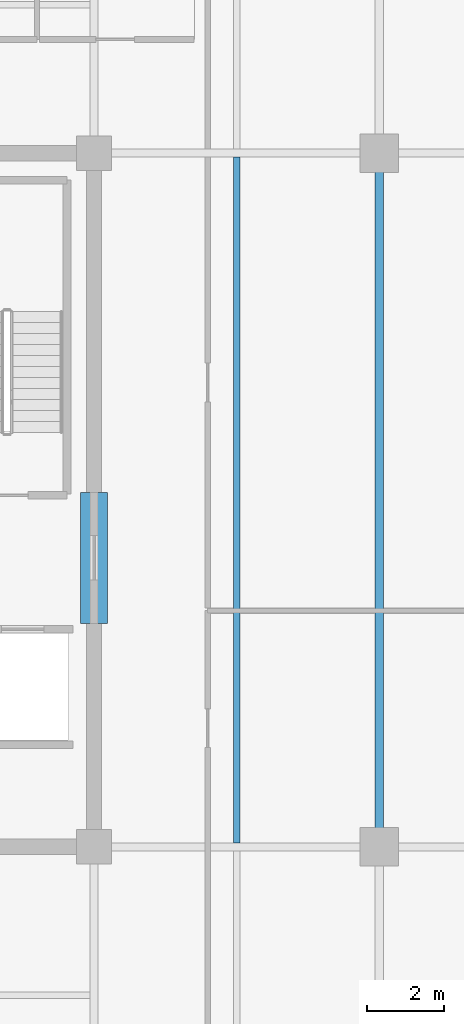
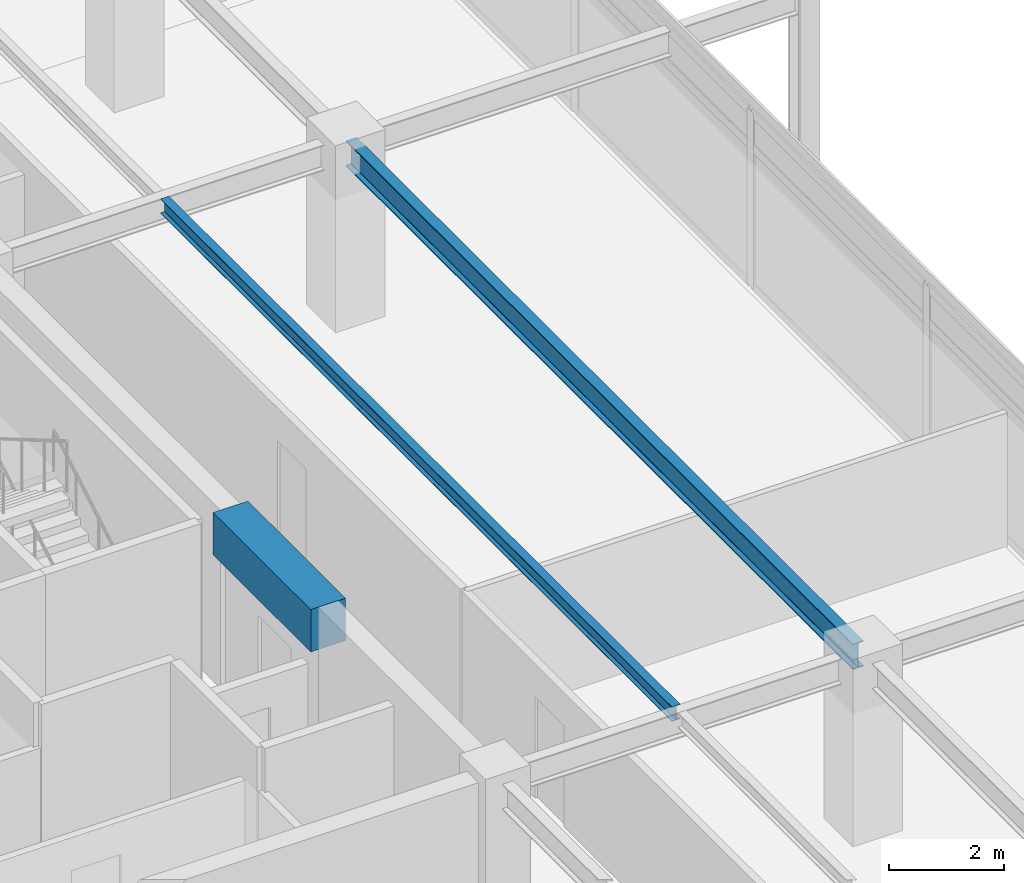
# One storey, part 7 of 20: 3 beams.
"""IFC4 building model written with IfcOpenShell, lengths in metres."""

from ifc_helpers import new_model, si_unit, direction, frame, origin, origin_2d, place, context, subcontext, project, spatial, rectangle, i_section, extrude, material, material_profile, profile_set, type_object, element, save


model = new_model("IFC4")

# Units and contexts
model_context = context("Model", 3, precision=1e-05, world=origin(), true_north=direction((0.0, 1.0)))
body_context = subcontext(model_context, "Body", "Model", "MODEL_VIEW")
ifc_project = project(units=[si_unit("LENGTHUNIT", "METRE"), si_unit("AREAUNIT", "SQUARE_METRE"), si_unit("VOLUMEUNIT", "CUBIC_METRE"), si_unit("PLANEANGLEUNIT", "RADIAN"), si_unit("MASSUNIT", "GRAM", prefix="KILO")], contexts=[model_context])

# Site, building, storey
site_placement = place(None, origin())
site = spatial("IfcSite", under=ifc_project, at=site_placement, CompositionType="ELEMENT")
building_placement = place(site_placement, origin())
building = spatial("IfcBuilding", under=site, at=building_placement, Name="Kovane Verandah Tower", CompositionType="ELEMENT")
storey_placement = place(building_placement, frame((0.0, 0.0, 322.800048828125)))
storey = spatial("IfcBuildingStorey", under=building, at=storey_placement, Name="L75", CompositionType="ELEMENT", Elevation=322.800048828125)

# Beams
ifc_material_1 = material(Name="Concrete C60/75", Category="concrete")
ifc_material_profile_1 = material_profile(ifc_material_1, rectangle(XDim=0.699951171875, YDim=0.89990234375, at=origin_2d()), Name="RCB700x900")
ifc_profile_set_1 = profile_set([ifc_material_profile_1], Name="Concrete C60/75")
beam_type_1 = type_object("IfcBeamType", Name="BM-LINTEL-700x900", PredefinedType="LINTEL", material=ifc_profile_set_1)
beam_1_placement = place(storey_placement, frame((51.0, 24.300048828125, 3.3349609375), z_axis=(0.0, 1.0, 0.0), x_axis=(-1.0, 0.0, 0.0)))
element("IfcBeam", 1, at=beam_1_placement, inside=storey, type_object=beam_type_1, Name="L75 Core Coupling Lintel CL-E", PredefinedType="LINTEL", context=body_context, shape_type="SweptSolid", body=[
    extrude(rectangle(XDim=0.699951171875, YDim=0.89990234375, at=origin_2d()), origin(), (0.0, 0.0, 1.0), 3.39990234375),
])
ifc_material_2 = material(Name="Steel S355", Category="steel")
ifc_material_profile_2 = material_profile(ifc_material_2, i_section(OverallWidth=0.2119140625, OverallDepth=0.54443359375, WebThickness=0.0126953125, FlangeThickness=0.021240234375, FilletRadius=0.0126953125, at=origin_2d()), Name="UB533x210x122")
ifc_profile_set_2 = profile_set([ifc_material_profile_2], Name="Steel S355")
beam_type_2 = type_object("IfcBeamType", Name="BM-UB533x122", PredefinedType="BEAM", material=ifc_profile_set_2)
beam_2_placement = place(storey_placement, frame((58.39990234375, 18.679931640625, 3.5126953125), z_axis=(0.0, 1.0, 0.0), x_axis=(-1.0, 0.0, 0.0)))
element("IfcBeam", 2, at=beam_2_placement, inside=storey, type_object=beam_type_2, Name="L75 Primary Tower Girder G-RE2", PredefinedType="BEAM", context=body_context, shape_type="SweptSolid", body=[
    extrude(i_section(OverallWidth=0.2119140625, OverallDepth=0.54443359375, WebThickness=0.0126953125, FlangeThickness=0.021240234375, FilletRadius=0.0126953125, at=origin_2d()), origin(), (0.0, 0.0, 1.0), 17.64013671875),
])
ifc_material_profile_3 = material_profile(ifc_material_2, i_section(OverallWidth=0.1669921875, OverallDepth=0.310302734375, WebThickness=0.0078125, FlangeThickness=0.013671875, FilletRadius=0.0087890625, at=origin_2d()), Name="UB305x165x54")
ifc_profile_set_3 = profile_set([ifc_material_profile_3], Name="Steel S355")
beam_type_3 = type_object("IfcBeamType", Name="JST-UB305x54", PredefinedType="JOIST", material=ifc_profile_set_3)
beam_3_placement = place(storey_placement, frame((54.699951171875, 18.60400390625, 3.629638671875), z_axis=(0.0, 1.0, 0.0), x_axis=(-1.0, 0.0, 0.0)))
element("IfcBeam", 3, at=beam_3_placement, inside=storey, type_object=beam_type_3, Name="L75 Secondary Composite Joist J-E1", PredefinedType="JOIST", context=body_context, shape_type="SweptSolid", body=[
    extrude(i_section(OverallWidth=0.1669921875, OverallDepth=0.310302734375, WebThickness=0.0078125, FlangeThickness=0.013671875, FilletRadius=0.0087890625, at=origin_2d()), origin(), (0.0, 0.0, 1.0), 17.7919921875),
])

save(model, "model.ifc")
